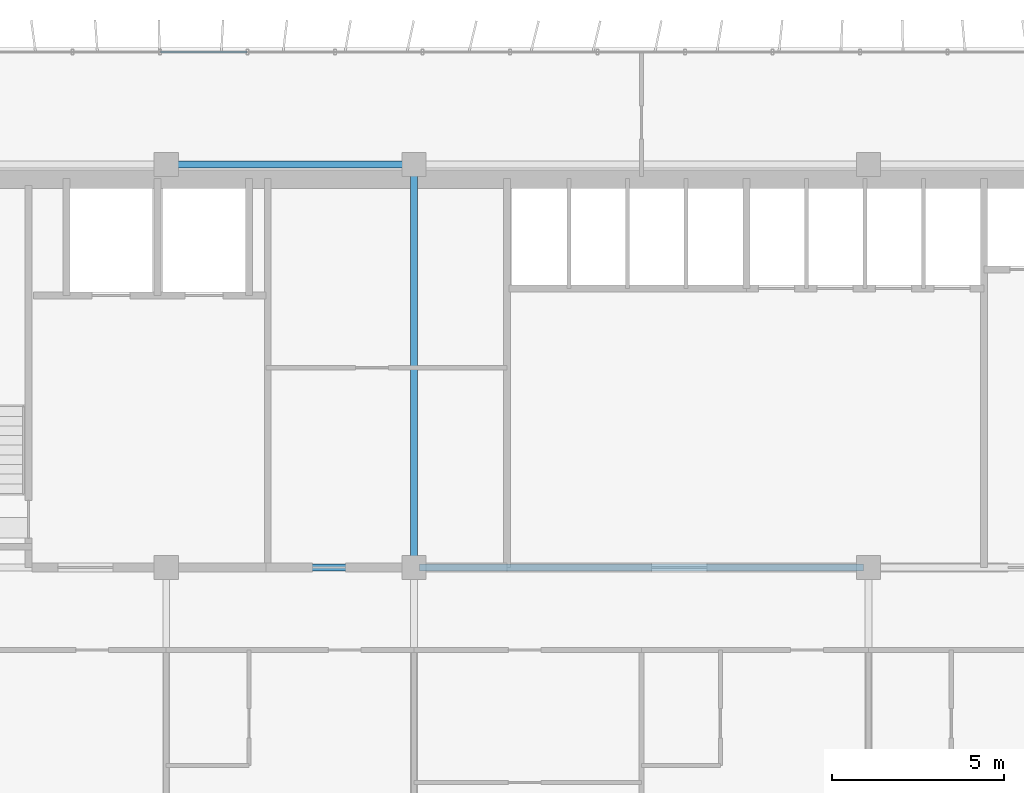
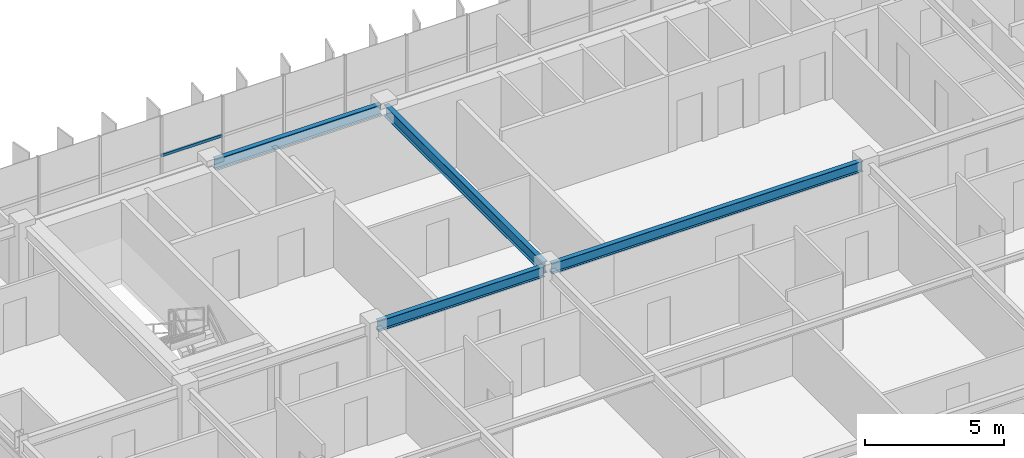
# One storey, part 7 of 23: 4 beams, 1 member, 1 element without a shape of its own.
"""IFC4 building model written with IfcOpenShell, lengths in metres."""

from ifc_helpers import new_model, si_unit, direction, frame, origin, origin_2d, place, context, subcontext, project, spatial, hollow_rectangle, i_section, extrude, source, transform, mapped, material, material_profile, profile_set, type_object, element, aggregate, save


model = new_model("IFC4")

# Units and contexts
model_context = context("Model", 3, precision=1e-05, world=origin(), true_north=direction((0.0, 1.0)))
body_context = subcontext(model_context, "Body", "Model", "MODEL_VIEW")
ifc_project = project(units=[si_unit("LENGTHUNIT", "METRE"), si_unit("AREAUNIT", "SQUARE_METRE"), si_unit("VOLUMEUNIT", "CUBIC_METRE"), si_unit("PLANEANGLEUNIT", "RADIAN"), si_unit("MASSUNIT", "GRAM", prefix="KILO")], contexts=[model_context])

# Site, building, storey
site_placement = place(None, origin())
site = spatial("IfcSite", under=ifc_project, at=site_placement, CompositionType="ELEMENT")
building_placement = place(site_placement, origin())
building = spatial("IfcBuilding", under=site, at=building_placement, Name="Trelvane Seafront Commons", CompositionType="ELEMENT")
storey_placement = place(building_placement, frame((0.0, 0.0, 219.300048828125)))
storey = spatial("IfcBuildingStorey", under=building, at=storey_placement, Name="L57", CompositionType="ELEMENT", Elevation=219.300048828125)

# Beams
ifc_material_1 = material(Name="Steel SM355 (S355)", Category="steel")
ifc_material_profile_1 = material_profile(ifc_material_1, i_section(OverallWidth=0.199951171875, OverallDepth=0.5, WebThickness=0.010009765625, FlangeThickness=0.01611328125, at=origin_2d()), Name="H-500x200x10x16")
ifc_profile_set_1 = profile_set([ifc_material_profile_1], Name="Steel SM355 (S355)")
beam_type_1 = type_object("IfcBeamType", Name="STR-BM-H500", PredefinedType="BEAM", material=ifc_profile_set_1)
shared_shape_1 = source(origin(), body_context, "Body", "SweptSolid", [
    extrude(i_section(OverallWidth=0.199951171875, OverallDepth=0.5, WebThickness=0.010009765625, FlangeThickness=0.01611328125, at=origin_2d()), origin(), (0.0, 0.0, 1.0), 11.39990234375),
])
beam_1_placement = place(storey_placement, frame((30.60009765625, 33.550048828125, 3.10986328125), z_axis=(0.0, 1.0, 0.0), x_axis=(-1.0, 0.0, 0.0)))
element("IfcBeam", 1, at=beam_1_placement, inside=storey, type_object=beam_type_1, Name="L57 Primary Girder G-40", PredefinedType="BEAM", context=body_context, shape_type="MappedRepresentation", body=[
    mapped(shared_shape_1, transform((0.0, 0.0, 0.0), x_axis=(1.0, 0.0, 0.0), y_axis=(0.0, 1.0, 0.0), z_axis=(0.0, 0.0, 1.0), scale=1.0)),
])
ifc_material_profile_2 = material_profile(ifc_material_1, i_section(OverallWidth=0.199951171875, OverallDepth=0.449951171875, WebThickness=0.009033203125, FlangeThickness=0.013916015625, at=origin_2d()), Name="H-450x200x9x14")
ifc_profile_set_2 = profile_set([ifc_material_profile_2], Name="Steel SM355 (S355)")
beam_type_2 = type_object("IfcBeamType", Name="STR-SPD-H450", PredefinedType="SPANDREL", material=ifc_profile_set_2)
shared_shape_2 = source(origin(), body_context, "Body", "SweptSolid", [
    extrude(i_section(OverallWidth=0.199951171875, OverallDepth=0.449951171875, WebThickness=0.009033203125, FlangeThickness=0.013916015625, at=origin_2d()), origin(), (0.0, 0.0, 1.0), 6.89990234375),
])
for number, where, z_axis, x_axis, name in (
    (2, (23.550048828125, 33.39990234375, 3.135009765625), (1.0, 0.0, 0.0), (0.0, 1.0, 0.0), "L57 Primary Girder G-17"),
    (3, (23.550048828125, 45.10009765625, 3.135009765625), (1.0, 0.0, 0.0), (0.0, 1.0, 0.0), "L57 Primary Girder G-24"),
):
    element("IfcBeam", number, at=place(storey_placement, frame(where, z_axis=z_axis, x_axis=x_axis)), inside=storey, type_object=beam_type_2, Name=name, PredefinedType="SPANDREL", context=body_context, shape_type="MappedRepresentation", body=[
        mapped(shared_shape_2, transform((0.0, 0.0, 0.0), x_axis=(1.0, 0.0, 0.0), y_axis=(0.0, 1.0, 0.0), z_axis=(0.0, 0.0, 1.0), scale=1.0)),
    ])
shared_shape_3 = source(origin(), body_context, "Body", "SweptSolid", [
    extrude(i_section(OverallWidth=0.199951171875, OverallDepth=0.449951171875, WebThickness=0.009033203125, FlangeThickness=0.013916015625, at=origin_2d()), origin(), (0.0, 0.0, 1.0), 12.89990234375),
])
beam_2_placement = place(storey_placement, frame((30.75, 33.39990234375, 3.135009765625), z_axis=(1.0, 0.0, 0.0), x_axis=(0.0, 1.0, 0.0)))
element("IfcBeam", 4, at=beam_2_placement, inside=storey, type_object=beam_type_2, Name="L57 Primary Girder G-18", PredefinedType="SPANDREL", context=body_context, shape_type="MappedRepresentation", body=[
    mapped(shared_shape_3, transform((0.0, 0.0, 0.0), x_axis=(1.0, 0.0, 0.0), y_axis=(0.0, 1.0, 0.0), z_axis=(0.0, 0.0, 1.0), scale=1.0)),
])

# Curtain wall, member
ifc_material_2 = material(Name="Anodised pale-silver aluminium", Category="aluminium")
curtain_wall_type = type_object("IfcCurtainWallType", Name="ARCH-CW5-UPTOWER", PredefinedType="NOTDEFINED", material=ifc_material_2)
curtain_wall_placement = place(storey_placement, origin())
curtain_wall = element("IfcCurtainWall", 5, at=curtain_wall_placement, inside=storey, type_object=curtain_wall_type, Name="CW-L57-0100", PredefinedType="NOTDEFINED")
ifc_material_profile_3 = material_profile(ifc_material_2, hollow_rectangle(XDim=0.070068359375, YDim=0.1201171875, WallThickness=0.00390625, at=origin_2d()), Name="TRAN-70x120x4")
ifc_profile_set_3 = profile_set([ifc_material_profile_3], Name="Anodised pale-silver aluminium")
member_type = type_object("IfcMemberType", Name="ARCH-CW-TRAN-120", PredefinedType="USERDEFINED", material=ifc_profile_set_3)
shared_shape_4 = source(origin(), body_context, "Body", "SweptSolid", [
    extrude(hollow_rectangle(XDim=0.070068359375, YDim=0.1201171875, WallThickness=0.00390625, at=origin_2d()), origin(), (0.0, 0.0, 1.0), 2.51708984375),
])
member_placement = place(storey_placement, frame((23.235595703125, 48.3701171875, 1.613037109375), z_axis=(1.0, 0.0, 0.0), x_axis=(0.0, 1.0, 0.0)))
member = element("IfcMember", 6, at=member_placement, type_object=member_type, Name="CW-L57-0100-T03", ObjectType="TRANSOM", PredefinedType="USERDEFINED", context=body_context, shape_type="MappedRepresentation", body=[
    mapped(shared_shape_4, transform((0.0, 0.0, 0.0), x_axis=(1.0, 0.0, 0.0), y_axis=(0.0, 1.0, 0.0), z_axis=(0.0, 0.0, 1.0), scale=1.0)),
])
aggregate(curtain_wall, [member])

save(model, "model.ifc")
